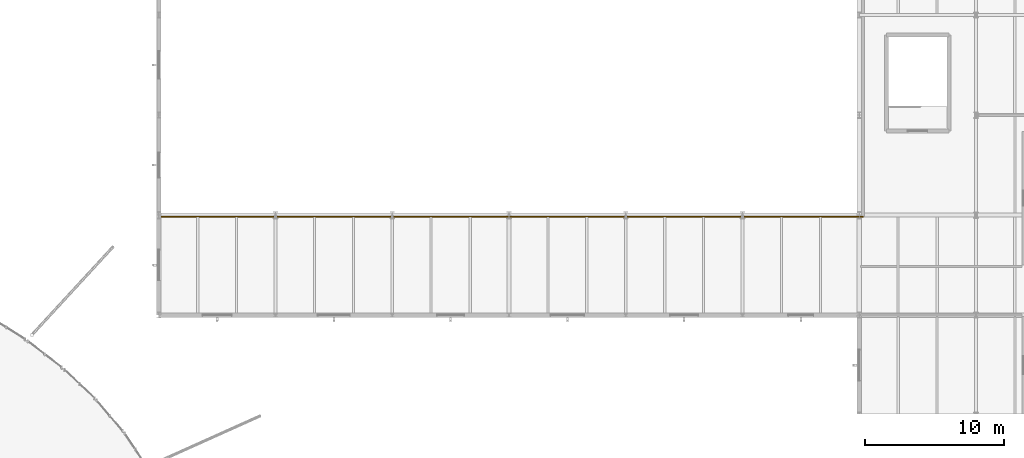
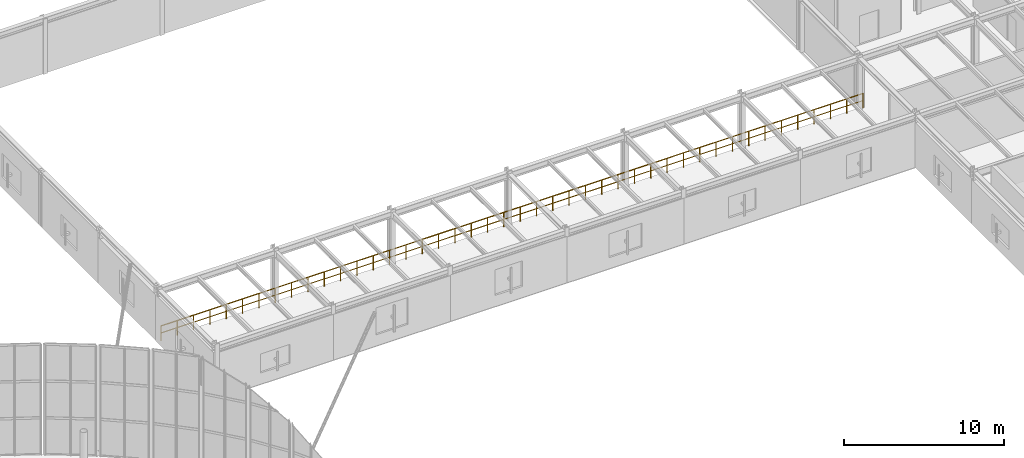
# One storey, part 91 of 109: 1 railing.
"""IFC4 building model written with IfcOpenShell, lengths in metres."""

from ifc_helpers import new_model, si_unit, derived_unit, direction, frame, origin, origin_2d, place, context, subcontext, project, spatial, circle, extrude, material, type_object, element, save


model = new_model("IFC4")

# Units and contexts
model_context = context("Model", 3, precision=1e-05, world=origin(), true_north=direction((0.0, 1.0)))
body_context = subcontext(model_context, "Body", "Model", "MODEL_VIEW")
ifc_project = project(units=[si_unit("LENGTHUNIT", "METRE"), si_unit("AREAUNIT", "SQUARE_METRE"), si_unit("VOLUMEUNIT", "CUBIC_METRE"), si_unit("PLANEANGLEUNIT", "RADIAN"), si_unit("MASSUNIT", "GRAM", prefix="KILO"), derived_unit("THERMALTRANSMITTANCEUNIT", [(si_unit("MASSUNIT", "GRAM", prefix="KILO"), 1), (si_unit("TIMEUNIT", "SECOND"), -3), (si_unit("THERMODYNAMICTEMPERATUREUNIT", "KELVIN"), -1)])], contexts=[model_context])

# Site, building, storey
site_placement = place(None, origin())
site = spatial("IfcSite", under=ifc_project, at=site_placement, CompositionType="ELEMENT")
building_placement = place(site_placement, origin())
building = spatial("IfcBuilding", under=site, at=building_placement, Name="Kharveza Railside Sports Centre", CompositionType="ELEMENT")
storey_placement = place(building_placement, frame((0.0, 0.0, 4.5)))
storey = spatial("IfcBuildingStorey", under=building, at=storey_placement, Name="L01", CompositionType="ELEMENT", Elevation=4.5)

# Railing
ifc_material = material(Name="Steel S275JR", Category="steel")
railing_type = type_object("IfcRailingType", Name="RL-GD110", PredefinedType="GUARDRAIL", material=ifc_material)
railing_placement = place(storey_placement, frame((92.550048828125, 79.080078125, 0.0)))
element("IfcRailing", 1, at=railing_placement, inside=storey, type_object=railing_type, Name="RL-V2-CONC-L01", PredefinedType="GUARDRAIL", context=body_context, shape_type="SweptSolid", body=[
    extrude(circle(Radius=0.02392578125, at=origin_2d()), frame((0.0, 0.0, 1.09619140625), z_axis=(1.0, 0.0, 0.0), x_axis=(0.0, 1.0, 0.0)), (0.0, 0.0, 1.0), 50.530029296875),
    extrude(circle(Radius=0.01611328125, at=origin_2d()), frame((0.0, 0.0, 0.56005859375), z_axis=(1.0, 0.0, 0.0), x_axis=(0.0, 1.0, 0.0)), (0.0, 0.0, 1.0), 50.530029296875),
    extrude(circle(Radius=0.02099609375, at=origin_2d()), origin(), (0.0, 0.0, 1.0), 1.072021484375),
    extrude(circle(Radius=0.02099609375, at=origin_2d()), frame((1.175048828125, 0.0, 0.0)), (0.0, 0.0, 1.0), 1.072021484375),
    extrude(circle(Radius=0.02099609375, at=origin_2d()), frame((2.350341796875, 0.0, 0.0)), (0.0, 0.0, 1.0), 1.072021484375),
    extrude(circle(Radius=0.02099609375, at=origin_2d()), frame((3.525390625, 0.0, 0.0)), (0.0, 0.0, 1.0), 1.072021484375),
    extrude(circle(Radius=0.02099609375, at=origin_2d()), frame((4.700439453125, 0.0, 0.0)), (0.0, 0.0, 1.0), 1.072021484375),
    extrude(circle(Radius=0.02099609375, at=origin_2d()), frame((5.87548828125, 0.0, 0.0)), (0.0, 0.0, 1.0), 1.072021484375),
    extrude(circle(Radius=0.02099609375, at=origin_2d()), frame((7.05078125, 0.0, 0.0)), (0.0, 0.0, 1.0), 1.072021484375),
    extrude(circle(Radius=0.02099609375, at=origin_2d()), frame((8.225830078125, 0.0, 0.0)), (0.0, 0.0, 1.0), 1.072021484375),
    extrude(circle(Radius=0.02099609375, at=origin_2d()), frame((9.40087890625, 0.0, 0.0)), (0.0, 0.0, 1.0), 1.072021484375),
    extrude(circle(Radius=0.02099609375, at=origin_2d()), frame((10.576171875, 0.0, 0.0)), (0.0, 0.0, 1.0), 1.072021484375),
    extrude(circle(Radius=0.02099609375, at=origin_2d()), frame((11.751220703125, 0.0, 0.0)), (0.0, 0.0, 1.0), 1.072021484375),
    extrude(circle(Radius=0.02099609375, at=origin_2d()), frame((12.92626953125, 0.0, 0.0)), (0.0, 0.0, 1.0), 1.072021484375),
    extrude(circle(Radius=0.02099609375, at=origin_2d()), frame((14.101318359375, 0.0, 0.0)), (0.0, 0.0, 1.0), 1.072021484375),
    extrude(circle(Radius=0.02099609375, at=origin_2d()), frame((15.276611328125, 0.0, 0.0)), (0.0, 0.0, 1.0), 1.072021484375),
    extrude(circle(Radius=0.02099609375, at=origin_2d()), frame((16.45166015625, 0.0, 0.0)), (0.0, 0.0, 1.0), 1.072021484375),
    extrude(circle(Radius=0.02099609375, at=origin_2d()), frame((17.626708984375, 0.0, 0.0)), (0.0, 0.0, 1.0), 1.072021484375),
    extrude(circle(Radius=0.02099609375, at=origin_2d()), frame((18.8017578125, 0.0, 0.0)), (0.0, 0.0, 1.0), 1.072021484375),
    extrude(circle(Radius=0.02099609375, at=origin_2d()), frame((19.97705078125, 0.0, 0.0)), (0.0, 0.0, 1.0), 1.072021484375),
    extrude(circle(Radius=0.02099609375, at=origin_2d()), frame((21.152099609375, 0.0, 0.0)), (0.0, 0.0, 1.0), 1.072021484375),
    extrude(circle(Radius=0.02099609375, at=origin_2d()), frame((22.3271484375, 0.0, 0.0)), (0.0, 0.0, 1.0), 1.072021484375),
    extrude(circle(Radius=0.02099609375, at=origin_2d()), frame((23.50244140625, 0.0, 0.0)), (0.0, 0.0, 1.0), 1.072021484375),
    extrude(circle(Radius=0.02099609375, at=origin_2d()), frame((24.677490234375, 0.0, 0.0)), (0.0, 0.0, 1.0), 1.072021484375),
    extrude(circle(Radius=0.02099609375, at=origin_2d()), frame((25.8525390625, 0.0, 0.0)), (0.0, 0.0, 1.0), 1.072021484375),
    extrude(circle(Radius=0.02099609375, at=origin_2d()), frame((27.027587890625, 0.0, 0.0)), (0.0, 0.0, 1.0), 1.072021484375),
    extrude(circle(Radius=0.02099609375, at=origin_2d()), frame((28.202880859375, 0.0, 0.0)), (0.0, 0.0, 1.0), 1.072021484375),
    extrude(circle(Radius=0.02099609375, at=origin_2d()), frame((29.3779296875, 0.0, 0.0)), (0.0, 0.0, 1.0), 1.072021484375),
    extrude(circle(Radius=0.02099609375, at=origin_2d()), frame((30.552978515625, 0.0, 0.0)), (0.0, 0.0, 1.0), 1.072021484375),
    extrude(circle(Radius=0.02099609375, at=origin_2d()), frame((31.728271484375, 0.0, 0.0)), (0.0, 0.0, 1.0), 1.072021484375),
    extrude(circle(Radius=0.02099609375, at=origin_2d()), frame((32.9033203125, 0.0, 0.0)), (0.0, 0.0, 1.0), 1.072021484375),
    extrude(circle(Radius=0.02099609375, at=origin_2d()), frame((34.078369140625, 0.0, 0.0)), (0.0, 0.0, 1.0), 1.072021484375),
    extrude(circle(Radius=0.02099609375, at=origin_2d()), frame((35.25341796875, 0.0, 0.0)), (0.0, 0.0, 1.0), 1.072021484375),
    extrude(circle(Radius=0.02099609375, at=origin_2d()), frame((36.4287109375, 0.0, 0.0)), (0.0, 0.0, 1.0), 1.072021484375),
    extrude(circle(Radius=0.02099609375, at=origin_2d()), frame((37.603759765625, 0.0, 0.0)), (0.0, 0.0, 1.0), 1.072021484375),
    extrude(circle(Radius=0.02099609375, at=origin_2d()), frame((38.77880859375, 0.0, 0.0)), (0.0, 0.0, 1.0), 1.072021484375),
    extrude(circle(Radius=0.02099609375, at=origin_2d()), frame((39.953857421875, 0.0, 0.0)), (0.0, 0.0, 1.0), 1.072021484375),
    extrude(circle(Radius=0.02099609375, at=origin_2d()), frame((41.129150390625, 0.0, 0.0)), (0.0, 0.0, 1.0), 1.072021484375),
    extrude(circle(Radius=0.02099609375, at=origin_2d()), frame((42.30419921875, 0.0, 0.0)), (0.0, 0.0, 1.0), 1.072021484375),
    extrude(circle(Radius=0.02099609375, at=origin_2d()), frame((43.479248046875, 0.0, 0.0)), (0.0, 0.0, 1.0), 1.072021484375),
    extrude(circle(Radius=0.02099609375, at=origin_2d()), frame((44.654541015625, 0.0, 0.0)), (0.0, 0.0, 1.0), 1.072021484375),
    extrude(circle(Radius=0.02099609375, at=origin_2d()), frame((45.82958984375, 0.0, 0.0)), (0.0, 0.0, 1.0), 1.072021484375),
    extrude(circle(Radius=0.02099609375, at=origin_2d()), frame((47.004638671875, 0.0, 0.0)), (0.0, 0.0, 1.0), 1.072021484375),
    extrude(circle(Radius=0.02099609375, at=origin_2d()), frame((48.1796875, 0.0, 0.0)), (0.0, 0.0, 1.0), 1.072021484375),
    extrude(circle(Radius=0.02099609375, at=origin_2d()), frame((49.35498046875, 0.0, 0.0)), (0.0, 0.0, 1.0), 1.072021484375),
    extrude(circle(Radius=0.02099609375, at=origin_2d()), frame((50.530029296875, 0.0, 0.0)), (0.0, 0.0, 1.0), 1.072021484375),
])

save(model, "model.ifc")
